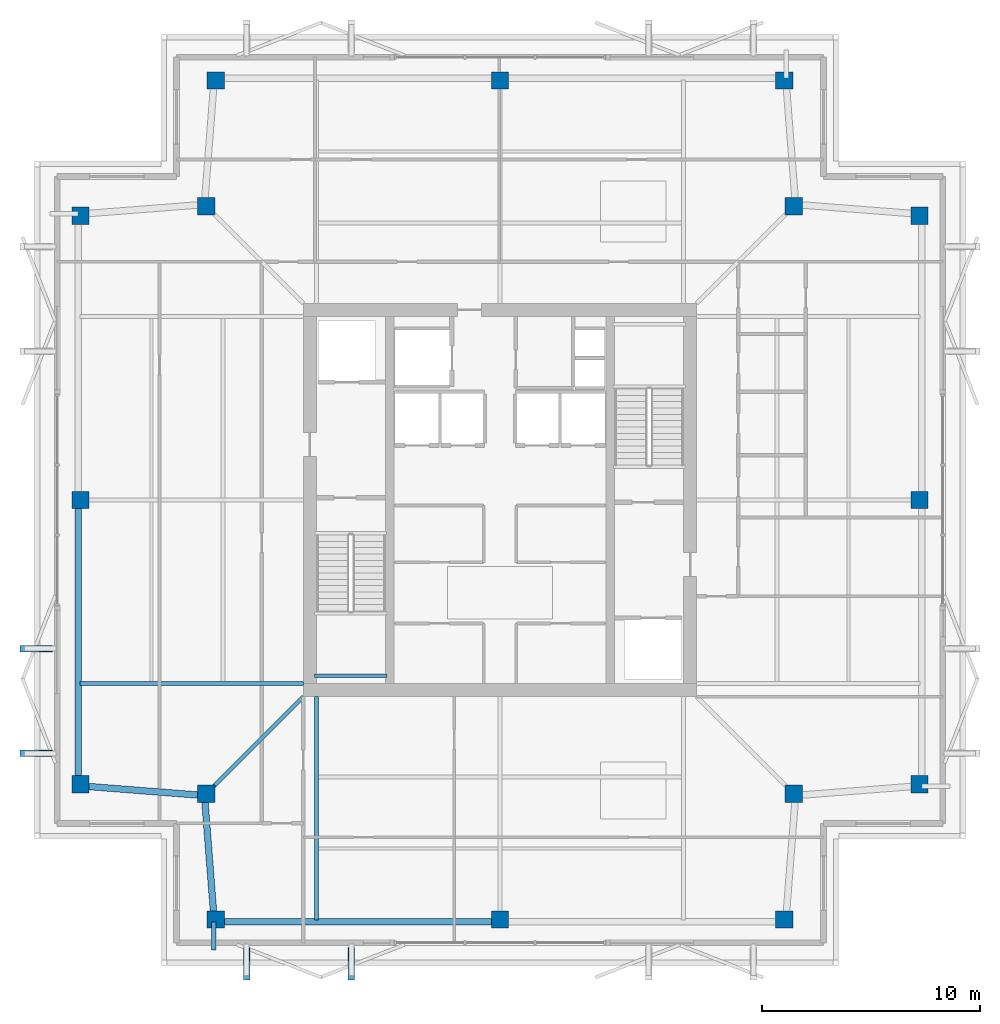
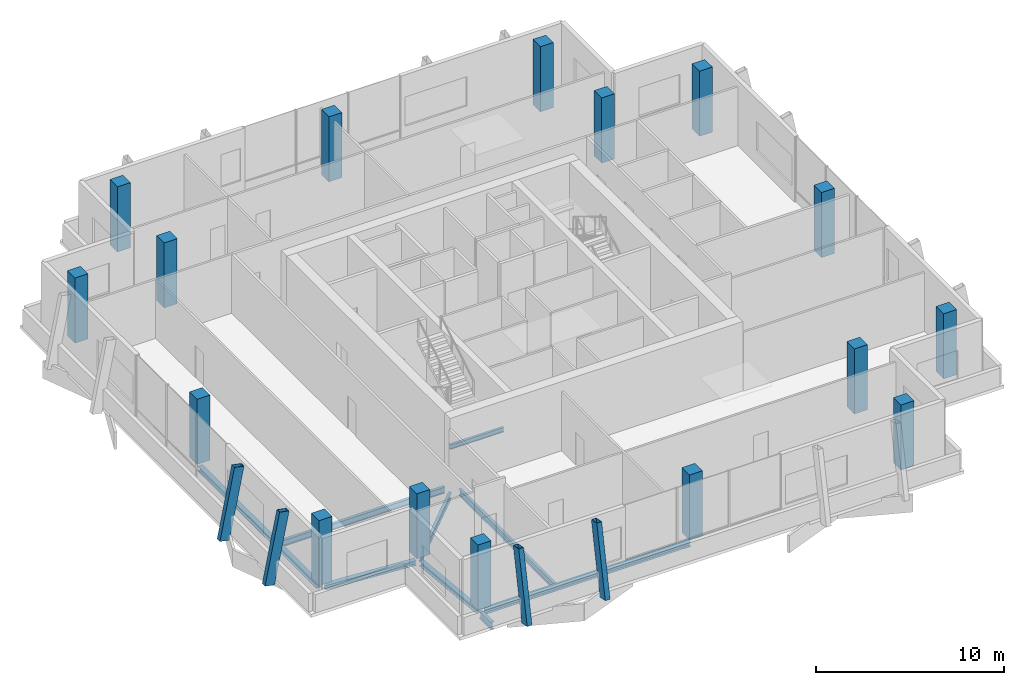
# One storey, part 1 of 17: 16 columns, 9 beams, 4 members.
"""IFC4 building model written with IfcOpenShell, lengths in metres."""

from ifc_helpers import new_model, si_unit, direction, frame, origin, origin_2d, place, context, subcontext, project, spatial, rectangle, hollow_rectangle, i_section, extrude, material, material_profile, profile_set, type_object, element, save


model = new_model("IFC4")

# Units and contexts
model_context = context("Model", 3, precision=1e-05, world=origin(), true_north=direction((0.0, 1.0)))
body_context = subcontext(model_context, "Body", "Model", "MODEL_VIEW")
ifc_project = project(units=[si_unit("LENGTHUNIT", "METRE"), si_unit("AREAUNIT", "SQUARE_METRE"), si_unit("VOLUMEUNIT", "CUBIC_METRE"), si_unit("PLANEANGLEUNIT", "RADIAN"), si_unit("MASSUNIT", "GRAM", prefix="KILO")], contexts=[model_context])

# Site, building, storey
site_placement = place(None, origin())
site = spatial("IfcSite", under=ifc_project, at=site_placement, CompositionType="ELEMENT")
building_placement = place(site_placement, origin())
building = spatial("IfcBuilding", under=site, at=building_placement, Name="Belovzor Exchange Tower", CompositionType="ELEMENT")
storey_placement = place(building_placement, frame((0.0, 0.0, 355.5)))
storey = spatial("IfcBuildingStorey", under=building, at=storey_placement, Name="L89", CompositionType="ELEMENT", Elevation=355.5)

# Columns
ifc_material_1 = material(Name="Concrete C50/60", Category="concrete")
ifc_material_profile_1 = material_profile(ifc_material_1, rectangle(XDim=0.800048828125, YDim=0.800048828125, at=origin_2d()))
ifc_profile_set_1 = profile_set([ifc_material_profile_1], Name="Concrete C50/60")
column_type = type_object("IfcColumnType", Name="Reinforced Concrete Tower Column 800x800", PredefinedType="COLUMN", material=ifc_profile_set_1)
for number, where, z_axis, x_axis, name in (
    (1, (15.800048828125, 9.60009765625, 0.0029296875), (0.0, 0.0, 1.0), (1.0, 0.0, 0.0), "COL-T080 Reinforced Concrete Tower Column 800x800"),
    (2, (28.800048828125, 9.60009765625, 0.0029296875), (0.0, 0.0, 1.0), (1.0, 0.0, 0.0), "COL-T080 Reinforced Concrete Tower Column 800x800"),
    (3, (41.800048828125, 9.60009765625, 0.0029296875), (0.0, 0.0, 1.0), (1.0, 0.0, 0.0), "COL-T080 Reinforced Concrete Tower Column 800x800"),
    (4, (48.0, 15.800048828125, 0.0029296875), (0.0, 0.0, 1.0), (1.0, 0.0, 0.0), "COL-T080 Reinforced Concrete Tower Column 800x800"),
    (5, (48.0, 28.800048828125, 0.0029296875), (0.0, 0.0, 1.0), (1.0, 0.0, 0.0), "COL-T080 Reinforced Concrete Tower Column 800x800"),
    (6, (48.0, 41.800048828125, 0.0029296875), (0.0, 0.0, 1.0), (1.0, 0.0, 0.0), "COL-T080 Reinforced Concrete Tower Column 800x800"),
    (7, (41.800048828125, 48.0, 0.0029296875), (0.0, 0.0, 1.0), (1.0, 0.0, 0.0), "COL-T080 Reinforced Concrete Tower Column 800x800"),
    (8, (28.800048828125, 48.0, 0.0029296875), (0.0, 0.0, 1.0), (1.0, 0.0, 0.0), "COL-T080 Reinforced Concrete Tower Column 800x800"),
    (9, (15.800048828125, 48.0, 0.0029296875), (0.0, 0.0, 1.0), (1.0, 0.0, 0.0), "COL-T080 Reinforced Concrete Tower Column 800x800"),
    (10, (9.60009765625, 41.800048828125, 0.0029296875), (0.0, 0.0, 1.0), (1.0, 0.0, 0.0), "COL-T080 Reinforced Concrete Tower Column 800x800"),
    (11, (9.60009765625, 28.800048828125, 0.0029296875), (0.0, 0.0, 1.0), (1.0, 0.0, 0.0), "COL-T080 Reinforced Concrete Tower Column 800x800"),
    (12, (9.60009765625, 15.800048828125, 0.0029296875), (0.0, 0.0, 1.0), (1.0, 0.0, 0.0), "COL-T080 Reinforced Concrete Tower Column 800x800"),
    (13, (15.35009765625, 15.35009765625, 0.0029296875), (0.0, 0.0, 1.0), (1.0, 0.0, 0.0), "COL-T080 Reinforced Concrete Tower Column 800x800"),
    (14, (42.25, 15.35009765625, 0.0029296875), (0.0, 0.0, 1.0), (1.0, 0.0, 0.0), "COL-T080 Reinforced Concrete Tower Column 800x800"),
    (15, (42.25, 42.25, 0.0029296875), (0.0, 0.0, 1.0), (1.0, 0.0, 0.0), "COL-T080 Reinforced Concrete Tower Column 800x800"),
    (16, (15.35009765625, 42.25, 0.0029296875), (0.0, 0.0, 1.0), (1.0, 0.0, 0.0), "COL-T080 Reinforced Concrete Tower Column 800x800"),
):
    element("IfcColumn", number, at=place(storey_placement, frame(where, z_axis=z_axis, x_axis=x_axis)), inside=storey, type_object=column_type, Name=name, PredefinedType="COLUMN", context=body_context, shape_type="SweptSolid", body=[
        extrude(rectangle(XDim=0.800048828125, YDim=0.800048828125, at=origin_2d()), origin(), (0.0, 0.0, 1.0), 4.234130859375),
    ])

# Beams
ifc_material_2 = material(Name="Steel S355", Category="steel")
ifc_material_profile_2 = material_profile(ifc_material_2, i_section(OverallWidth=0.199951171875, OverallDepth=0.5, WebThickness=0.01025390625, FlangeThickness=0.01611328125, at=origin_2d()))
ifc_profile_set_2 = profile_set([ifc_material_profile_2], Name="Steel S355")
beam_type_1 = type_object("IfcBeamType", Name="Planted Balcony Cantilever Beam IPE 500", PredefinedType="BEAM", material=ifc_profile_set_2)
beam_1_placement = place(storey_placement, frame((15.705078125, 9.47802734375, -0.510009765625), z_axis=(0.0, -1.0, 0.0), x_axis=(1.0, 0.0, 0.0)))
element("IfcBeam", 17, at=beam_1_placement, inside=storey, type_object=beam_type_1, Name="BC-500 Planted Balcony Cantilever Beam IPE 500", PredefinedType="BEAM", context=body_context, shape_type="SweptSolid", body=[
    extrude(i_section(OverallWidth=0.199951171875, OverallDepth=0.5, WebThickness=0.01025390625, FlangeThickness=0.01611328125, at=origin_2d()), origin(), (0.0, 0.0, 1.0), 1.278076171875),
])
ifc_material_3 = material(Name="Steel S355", Category="steel")
ifc_material_profile_3 = material_profile(ifc_material_3, i_section(OverallWidth=0.14990234375, OverallDepth=0.300048828125, WebThickness=0.007080078125, FlangeThickness=0.0107421875, at=origin_2d()))
ifc_profile_set_3 = profile_set([ifc_material_profile_3], Name="Steel S355")
beam_type_2 = type_object("IfcBeamType", Name="Secondary Trim Floor Joist IPE 300", PredefinedType="BEAM", material=ifc_profile_set_3)
beam_2_placement = place(storey_placement, frame((20.320068359375, 20.75, 1.89990234375), z_axis=(1.0, 0.0, 0.0), x_axis=(0.0, 1.0, 0.0)))
element("IfcBeam", 18, at=beam_2_placement, inside=storey, type_object=beam_type_2, Name="FJ-300 Secondary Trim Floor Joist IPE 300", PredefinedType="BEAM", context=body_context, shape_type="SweptSolid", body=[
    extrude(i_section(OverallWidth=0.14990234375, OverallDepth=0.300048828125, WebThickness=0.007080078125, FlangeThickness=0.0107421875, at=origin_2d()), origin(), (0.0, 0.0, 1.0), 3.309814453125),
])

# Members
ifc_material_4 = material(Name="Extruded Architectural Terracotta on Steel S355 Carrier", Category="masonry")
ifc_material_profile_4 = material_profile(ifc_material_4, hollow_rectangle(XDim=0.300048828125, YDim=0.60009765625, WallThickness=0.01611328125, at=origin_2d()))
ifc_profile_set_4 = profile_set([ifc_material_profile_4], Name="Extruded Architectural Terracotta on Steel S355 Carrier")
member_type = type_object("IfcMemberType", Name="Upper Crown Terracotta Fin Assembly 550", PredefinedType="USERDEFINED", material=ifc_profile_set_4)
for number, where, z_axis, x_axis, name in (
    (19, (17.199951171875, 7.125, -0.260009765625), (0.0, 0.196095673508, 0.980584767795), (-1.0, 0.0, 0.0), "FIN-TC055 Terracotta Facade Fin L89 S1"),
    (20, (7.125, 17.199951171875, -0.260009765625), (0.196095673508, 0.0, 0.980584767795), (0.0, 1.0, 0.0), "FIN-TC055 Terracotta Facade Fin L89 W1"),
    (21, (22.0, 7.125, -0.260009765625), (0.0, 0.196095673508, 0.980584767795), (-1.0, 0.0, 0.0), "FIN-TC055 Terracotta Facade Fin L89 S2"),
    (22, (7.125, 22.0, -0.260009765625), (0.196095673508, 0.0, 0.980584767795), (0.0, 1.0, 0.0), "FIN-TC055 Terracotta Facade Fin L89 W2"),
):
    element("IfcMember", number, at=place(storey_placement, frame(where, z_axis=z_axis, x_axis=x_axis)), inside=storey, type_object=member_type, Name=name, ObjectType="FIN", PredefinedType="USERDEFINED", context=body_context, shape_type="SweptSolid", body=[
        extrude(hollow_rectangle(XDim=0.300048828125, YDim=0.60009765625, WallThickness=0.01611328125, at=origin_2d()), origin(), (0.0, 0.0, 1.0), 4.589111328125),
    ])

# Beams
ifc_material_5 = material(Name="Steel S355", Category="steel")
ifc_material_profile_5 = material_profile(ifc_material_5, i_section(OverallWidth=0.179931640625, OverallDepth=0.39990234375, WebThickness=0.008544921875, FlangeThickness=0.013427734375, at=origin_2d()))
ifc_profile_set_5 = profile_set([ifc_material_profile_5], Name="Steel S355")
beam_type_3 = type_object("IfcBeamType", Name="Zone 5-6 Radial Composite Floor Beam IPE 400", PredefinedType="BEAM", material=ifc_profile_set_5)
for number, where, z_axis, x_axis, name in (
    (23, (20.39990234375, 19.800048828125, -0.4599609375), (0.0, -1.0, 0.0), (1.0, 0.0, 0.0), "FB-400 Zone 5-6 Radial Composite Floor Beam IPE 400"),
    (24, (19.800048828125, 20.39990234375, -0.4599609375), (-1.0, 0.0, 0.0), (0.0, -1.0, 0.0), "FB-400 Zone 5-6 Radial Composite Floor Beam IPE 400"),
):
    element("IfcBeam", number, at=place(storey_placement, frame(where, z_axis=z_axis, x_axis=x_axis)), inside=storey, type_object=beam_type_3, Name=name, PredefinedType="BEAM", context=body_context, shape_type="SweptSolid", body=[
        extrude(i_section(OverallWidth=0.179931640625, OverallDepth=0.39990234375, WebThickness=0.008544921875, FlangeThickness=0.013427734375, at=origin_2d()), origin(), (0.0, 0.0, 1.0), 10.22314453125),
    ])
beam_3_placement = place(storey_placement, frame((19.800048828125, 19.800048828125, -0.4599609375), z_axis=(-0.707106781187, -0.707106781187, 0.0), x_axis=(0.707106781187, -0.707106781187, 0.0)))
element("IfcBeam", 25, at=beam_3_placement, inside=storey, type_object=beam_type_3, Name="FB-400 Zone 5-6 Radial Composite Floor Beam IPE 400", PredefinedType="BEAM", context=body_context, shape_type="SweptSolid", body=[
    extrude(i_section(OverallWidth=0.179931640625, OverallDepth=0.39990234375, WebThickness=0.008544921875, FlangeThickness=0.013427734375, at=origin_2d()), origin(), (0.0, 0.0, 1.0), 6.11962890625),
])
ifc_material_6 = material(Name="Steel S355", Category="steel")
ifc_material_profile_6 = material_profile(ifc_material_6, i_section(OverallWidth=0.300048828125, OverallDepth=0.300048828125, WebThickness=0.008544921875, FlangeThickness=0.013916015625, at=origin_2d()))
ifc_profile_set_6 = profile_set([ifc_material_profile_6], Name="Steel S355")
beam_type_4 = type_object("IfcBeamType", Name="Zone 6 Primary Girder HEA 300", PredefinedType="BEAM", material=ifc_profile_set_6)
beam_4_placement = place(storey_placement, frame((15.2900390625, 15.053955078125, -0.409912109375), z_axis=(0.077771422465, -0.996971216158, 0.0), x_axis=(0.996971216158, 0.077771422465, 0.0)))
element("IfcBeam", 26, at=beam_4_placement, inside=storey, type_object=beam_type_4, Name="FG-Z6 Zone 6 Primary Girder HEA 300", PredefinedType="BEAM", context=body_context, shape_type="SweptSolid", body=[
    extrude(i_section(OverallWidth=0.300048828125, OverallDepth=0.300048828125, WebThickness=0.008544921875, FlangeThickness=0.013916015625, at=origin_2d()), origin(), (0.0, 0.0, 1.0), 5.34912109375),
])
for number, where, z_axis, x_axis, name in (
    (27, (15.943115234375, 9.501953125, -0.409912109375), (1.0, 0.0, 0.0), (0.0, 1.0, 0.0), "FG-Z6 Zone 6 Primary Girder HEA 300"),
    (28, (9.501953125, 28.580078125, -0.409912109375), (0.0, -1.0, 0.0), (1.0, 0.0, 0.0), "FG-Z6 Zone 6 Primary Girder HEA 300"),
):
    element("IfcBeam", number, at=place(storey_placement, frame(where, z_axis=z_axis, x_axis=x_axis)), inside=storey, type_object=beam_type_4, Name=name, PredefinedType="BEAM", context=body_context, shape_type="SweptSolid", body=[
        extrude(i_section(OverallWidth=0.300048828125, OverallDepth=0.300048828125, WebThickness=0.008544921875, FlangeThickness=0.013916015625, at=origin_2d()), origin(), (0.0, 0.0, 1.0), 12.636962890625),
    ])
beam_5_placement = place(storey_placement, frame((9.720947265625, 15.7060546875, -0.409912109375), z_axis=(0.996971216158, -0.077771422465, 0.0), x_axis=(0.077771422465, 0.996971216158, 0.0)))
element("IfcBeam", 29, at=beam_5_placement, inside=storey, type_object=beam_type_4, Name="FG-Z6 Zone 6 Primary Girder HEA 300", PredefinedType="BEAM", context=body_context, shape_type="SweptSolid", body=[
    extrude(i_section(OverallWidth=0.300048828125, OverallDepth=0.300048828125, WebThickness=0.008544921875, FlangeThickness=0.013916015625, at=origin_2d()), origin(), (0.0, 0.0, 1.0), 5.34912109375),
])

save(model, "model.ifc")
